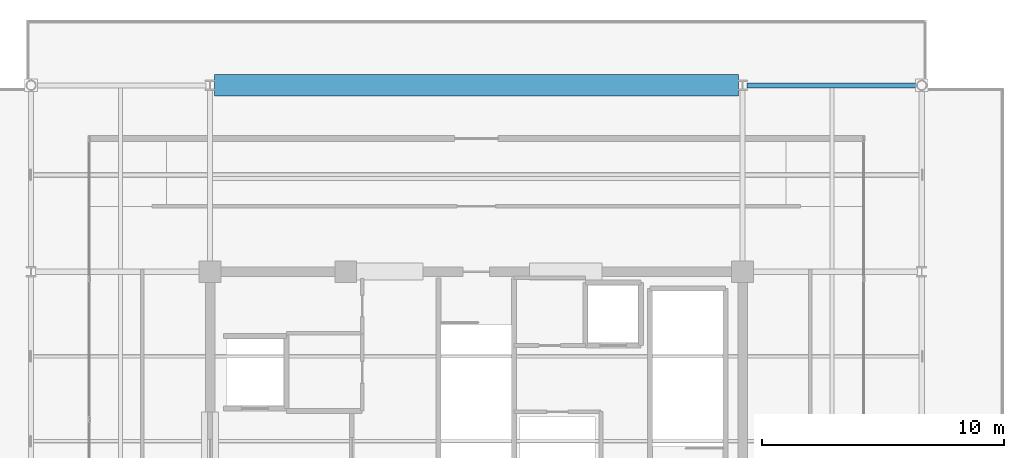
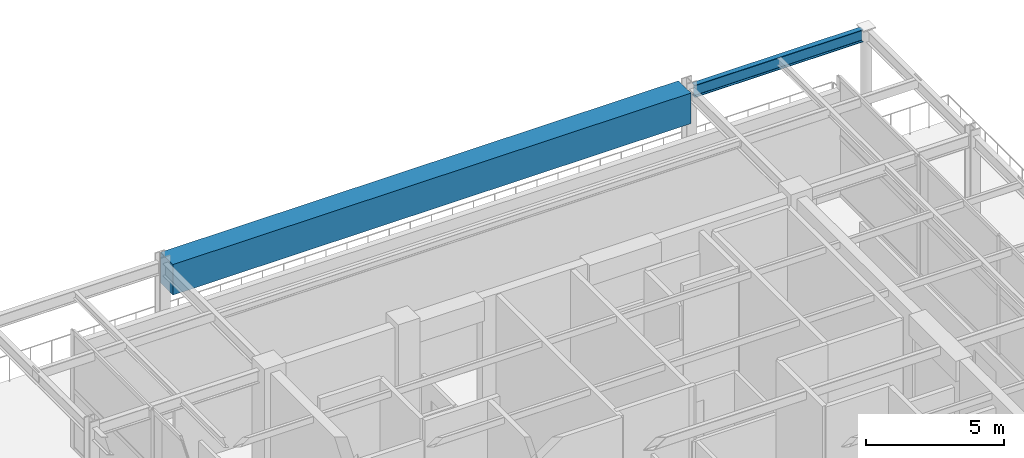
# One storey, part 10 of 16: 2 beams.
"""IFC4 building model written with IfcOpenShell, lengths in metres."""

from ifc_helpers import new_model, si_unit, direction, frame, origin, origin_2d, place, context, subcontext, project, spatial, rectangle, i_section, extrude, material, material_profile, profile_set, type_object, element, save


model = new_model("IFC4")

# Units and contexts
model_context = context("Model", 3, precision=1e-05, world=origin(), true_north=direction((0.0, 1.0)))
body_context = subcontext(model_context, "Body", "Model", "MODEL_VIEW")
ifc_project = project(units=[si_unit("LENGTHUNIT", "METRE"), si_unit("AREAUNIT", "SQUARE_METRE"), si_unit("VOLUMEUNIT", "CUBIC_METRE"), si_unit("PLANEANGLEUNIT", "RADIAN"), si_unit("MASSUNIT", "GRAM", prefix="KILO")], contexts=[model_context])

# Site, building, storey
site_placement = place(None, origin())
site = spatial("IfcSite", under=ifc_project, at=site_placement, CompositionType="ELEMENT")
building_placement = place(site_placement, origin())
building = spatial("IfcBuilding", under=site, at=building_placement, Name="Kovane Verandah Tower", CompositionType="ELEMENT")
storey_placement = place(building_placement, frame((0.0, 0.0, 354.300048828125)))
storey = spatial("IfcBuildingStorey", under=building, at=storey_placement, Name="L82", CompositionType="ELEMENT", Elevation=354.300048828125)

# Beams
ifc_material_1 = material(Name="Concrete C80/95", Category="concrete")
ifc_material_profile_1 = material_profile(ifc_material_1, rectangle(XDim=0.89990234375, YDim=1.35009765625, at=origin_2d()), Name="RCB900x1350")
ifc_profile_set_1 = profile_set([ifc_material_profile_1], Name="Concrete C80/95")
beam_type_1 = type_object("IfcBeamType", Name="BM-TR-900x1350", PredefinedType="BEAM", material=ifc_profile_set_1)
beam_1_placement = place(storey_placement, frame((29.179931640625, 44.199951171875, 4.56494140625), z_axis=(1.0, 0.0, 0.0), x_axis=(0.0, 1.0, 0.0)))
element("IfcBeam", 1, at=beam_1_placement, inside=storey, type_object=beam_type_1, Name="L82 Primary Tower Girder G-RN2", PredefinedType="BEAM", context=body_context, shape_type="SweptSolid", body=[
    extrude(rectangle(XDim=0.89990234375, YDim=1.35009765625, at=origin_2d()), origin(), (0.0, 0.0, 1.0), 21.64013671875),
])
ifc_material_2 = material(Name="Steel S355", Category="steel")
ifc_material_profile_2 = material_profile(ifc_material_2, i_section(OverallWidth=0.2119140625, OverallDepth=0.54443359375, WebThickness=0.0126953125, FlangeThickness=0.021240234375, FilletRadius=0.0126953125, at=origin_2d()), Name="UB533x210x122")
ifc_profile_set_2 = profile_set([ifc_material_profile_2], Name="Steel S355")
beam_type_2 = type_object("IfcBeamType", Name="BM-UB533x122", PredefinedType="BEAM", material=ifc_profile_set_2)
beam_2_placement = place(storey_placement, frame((51.179931640625, 44.199951171875, 4.9677734375), z_axis=(1.0, 0.0, 0.0), x_axis=(0.0, 1.0, 0.0)))
element("IfcBeam", 2, at=beam_2_placement, inside=storey, type_object=beam_type_2, Name="L82 Primary Tower Girder G-RN3", PredefinedType="BEAM", context=body_context, shape_type="SweptSolid", body=[
    extrude(i_section(OverallWidth=0.2119140625, OverallDepth=0.54443359375, WebThickness=0.0126953125, FlangeThickness=0.021240234375, FilletRadius=0.0126953125, at=origin_2d()), origin(), (0.0, 0.0, 1.0), 7.0400390625),
])

save(model, "model.ifc")
